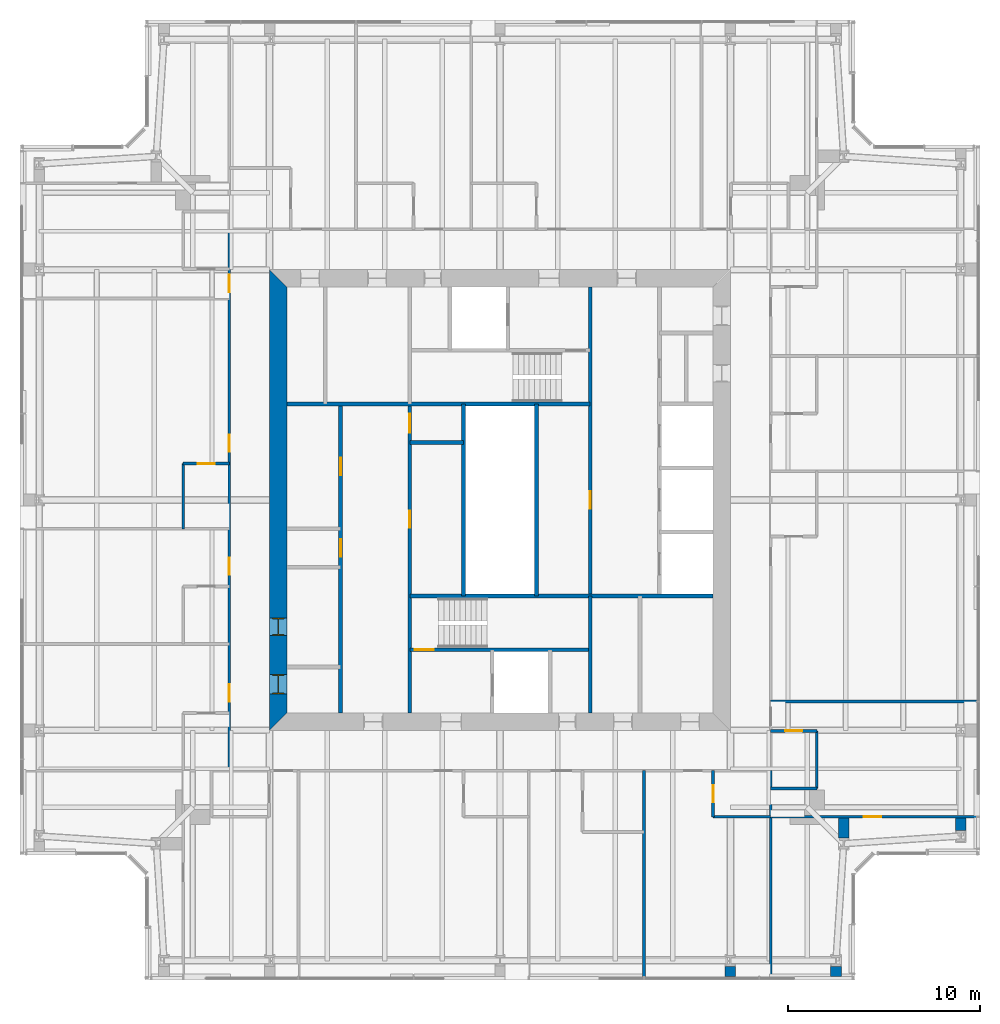
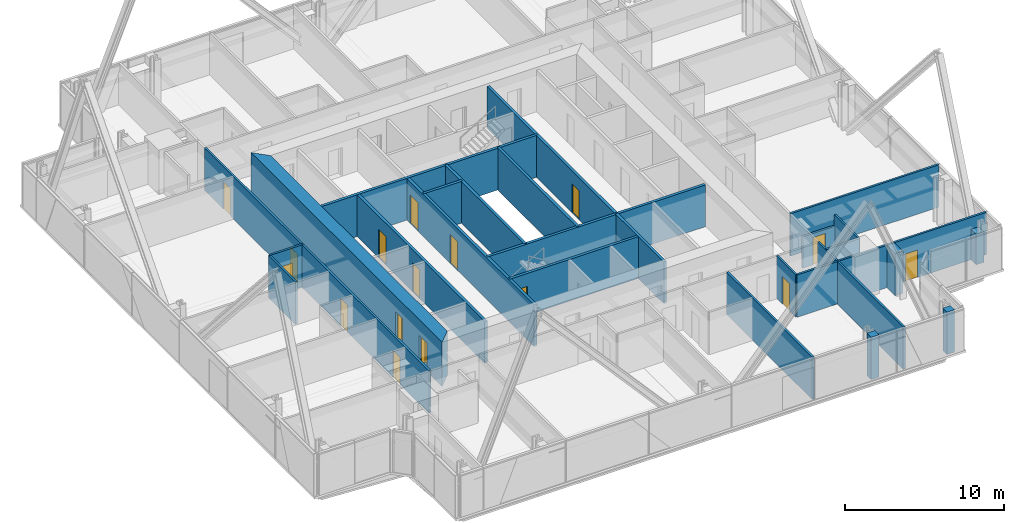
# One storey, part 12 of 20: 27 walls, 16 doors, 16 openings.
"""IFC4 building model written with IfcOpenShell, lengths in metres."""

from ifc_helpers import new_model, si_unit, direction, frame, frame_2d, origin, place, context, subcontext, project, spatial, polyline, rectangle, outline, extrude, material, layer, layer_set, type_object, element, fill, save


model = new_model("IFC4")

# Units and contexts
model_context = context("Model", 3, precision=1e-05, world=origin(), true_north=direction((0.0, 1.0)))
body_context = subcontext(model_context, "Body", "Model", "MODEL_VIEW")
ifc_project = project(units=[si_unit("LENGTHUNIT", "METRE"), si_unit("AREAUNIT", "SQUARE_METRE"), si_unit("VOLUMEUNIT", "CUBIC_METRE"), si_unit("PLANEANGLEUNIT", "RADIAN"), si_unit("MASSUNIT", "GRAM", prefix="KILO")], contexts=[model_context])

# Site, building, storey
site_placement = place(None, origin())
site = spatial("IfcSite", under=ifc_project, at=site_placement, CompositionType="ELEMENT")
building_placement = place(site_placement, origin())
building = spatial("IfcBuilding", under=site, at=building_placement, Name="Fenwick Lantern Interchange", CompositionType="ELEMENT")
storey_placement = place(building_placement, frame((0.0, 0.0, 256.0)))
storey = spatial("IfcBuildingStorey", under=building, at=storey_placement, Name="L60", CompositionType="ELEMENT", Elevation=256.0)

# Walls
ifc_material_1 = material(Name="Fire-rated gypsum board encasement on steel studs, 2 hour", Category="steel")
ifc_layer_1 = layer(ifc_material_1, 0.554931640625)
ifc_layer_set_1 = layer_set([ifc_layer_1], Name="COLUMN PIER 555")
wall_type_1 = type_object("IfcWallType", Name="COLUMN PIER 555", PredefinedType="PARTITIONING", material=ifc_layer_set_1)
for number, where, z_axis, x_axis, name in (
    (1, (37.0, 0.18994140625, 0.0), (0.0, 0.0, 1.0), (0.0, 1.0, 0.0), "L60/W/PIER/CS4"),
    (2, (42.5, 0.18994140625, 0.0), (0.0, 0.0, 1.0), (0.0, 1.0, 0.0), "L60/W/PIER/CS5"),
):
    element("IfcWall", number, at=place(storey_placement, frame(where, z_axis=z_axis, x_axis=x_axis)), inside=storey, type_object=wall_type_1, Name=name, PredefinedType="PARTITIONING", context=body_context, shape_type="SweptSolid", body=[
        extrude(rectangle(XDim=0.525634765625, YDim=0.554931640625, at=frame_2d((0.2626953125, 0.0))), origin(), (0.0, 0.0, 1.0), 3.25),
    ])
wall_1_placement = place(storey_placement, frame((42.89990234375, 8.425048828125, 0.0), z_axis=(0.0, 0.0, 1.0), x_axis=(0.0, -1.0, 0.0)))
element("IfcWall", 3, at=wall_1_placement, inside=storey, type_object=wall_type_1, Name="L60/W/PIER/CSR", PredefinedType="PARTITIONING", context=body_context, shape_type="SweptSolid", body=[
    extrude(rectangle(XDim=1.04052734375, YDim=0.554931640625, at=frame_2d((0.520263671875, 0.0))), origin(), (0.0, 0.0, 1.0), 3.25),
])
wall_2_placement = place(storey_placement, frame((49.0, 8.425048828125, 0.0), z_axis=(0.0, 0.0, 1.0), x_axis=(0.0, -1.0, 0.0)))
element("IfcWall", 4, at=wall_2_placement, inside=storey, type_object=wall_type_1, Name="L60/W/PIER/CE1", PredefinedType="PARTITIONING", context=body_context, shape_type="SweptSolid", body=[
    extrude(rectangle(XDim=0.640625, YDim=0.554931640625, at=frame_2d((0.3203125, 0.0))), origin(), (0.0, 0.0, 1.0), 2.338134765625),
])

# Wall, openings, doors
ifc_material_2 = material(Name="Concrete masonry ASTM C90 Grade N", Category="masonry")
ifc_layer_2 = layer(ifc_material_2, 0.199951171875)
ifc_layer_set_2 = layer_set([ifc_layer_2], Name="Concrete masonry ASTM C90 Grade N")
wall_type_2 = type_object("IfcWallType", Name="CORE PARTITION 200", PredefinedType="PARTITIONING", material=ifc_layer_set_2)
wall_3_placement = place(storey_placement, frame((16.699951171875, 13.89990234375, 0.0), z_axis=(0.0, 0.0, 1.0), x_axis=(0.0, 1.0, 0.0)))
wall_3 = element("IfcWall", 5, at=wall_3_placement, inside=storey, type_object=wall_type_2, Name="L60/W/CORES/a", PredefinedType="PARTITIONING", context=body_context, shape_type="SweptSolid", body=[
    extrude(rectangle(XDim=16.10009765625, YDim=0.199951171875, at=frame_2d((8.050048828125, 0.0))), origin(), (0.0, 0.0, 1.0), 3.199951171875),
])
opening_1_placement = place(wall_3_placement, frame((8.14990234375, 0.0, 0.0)))
opening_1 = element("IfcOpeningElement", 6, at=opening_1_placement, cuts=wall_3, Name="Opening L60-D009", PredefinedType="OPENING", context=body_context, shape_type="SweptSolid", body=[
    extrude(rectangle(XDim=0.89990234375, YDim=2.199951171875, at=frame_2d((0.449951171875, 1.10009765625))), frame((0.0, 0.10986328125, 0.0), z_axis=(0.0, -1.0, 0.0), x_axis=(1.0, 0.0, 0.0)), (0.0, 0.0, 1.0), 0.219970703125),
])
opening_2_placement = place(wall_3_placement, frame((12.39990234375, 0.0, 0.0)))
opening_2 = element("IfcOpeningElement", 7, at=opening_2_placement, cuts=wall_3, Name="Opening L60-D010", PredefinedType="OPENING", context=body_context, shape_type="SweptSolid", body=[
    extrude(rectangle(XDim=0.89990234375, YDim=2.199951171875, at=frame_2d((0.449951171875, 1.10009765625))), frame((0.0, 0.10986328125, 0.0), z_axis=(0.0, -1.0, 0.0), x_axis=(1.0, 0.0, 0.0)), (0.0, 0.0, 1.0), 0.219970703125),
])
ifc_material_3 = material(Name="Steel door and frame", Category="steel")
door_type_1 = type_object("IfcDoorType", Name="SERVICE DOOR 900 X 2200", OperationType="SINGLE_SWING_LEFT", PredefinedType="DOOR", material=ifc_material_3)
door_1_placement = place(opening_1_placement, origin())
door_1 = element("IfcDoor", 8, at=door_1_placement, inside=storey, type_object=door_type_1, Name="Service door", OperationType="SINGLE_SWING_LEFT", OverallHeight=2.199951171875, OverallWidth=0.89990234375, PredefinedType="DOOR", context=body_context, shape_type="SweptSolid", body=[
    extrude(rectangle(XDim=0.89990234375, YDim=2.199951171875, at=frame_2d((0.449951171875, 1.10009765625))), frame((0.0, 0.02490234375, 0.0), z_axis=(0.0, -1.0, 0.0), x_axis=(1.0, 0.0, 0.0)), (0.0, 0.0, 1.0), 0.050048828125),
])
fill(opening_1, door_1)
door_2_placement = place(opening_2_placement, origin())
door_2 = element("IfcDoor", 9, at=door_2_placement, inside=storey, type_object=door_type_1, Name="Service door", OperationType="SINGLE_SWING_LEFT", OverallHeight=2.199951171875, OverallWidth=0.89990234375, PredefinedType="DOOR", context=body_context, shape_type="SweptSolid", body=[
    extrude(rectangle(XDim=0.89990234375, YDim=2.199951171875, at=frame_2d((0.449951171875, 1.10009765625))), frame((0.0, 0.02490234375, 0.0), z_axis=(0.0, -1.0, 0.0), x_axis=(1.0, 0.0, 0.0)), (0.0, 0.0, 1.0), 0.050048828125),
])
fill(opening_2, door_2)

# Walls
wall_4_placement = place(storey_placement, frame((23.10009765625, 20.0, 0.0), z_axis=(0.0, 0.0, 1.0), x_axis=(0.0, 1.0, 0.0)))
element("IfcWall", 10, at=wall_4_placement, inside=storey, type_object=wall_type_2, Name="L60/W/CORES/e3", PredefinedType="PARTITIONING", context=body_context, shape_type="SweptSolid", body=[
    extrude(rectangle(XDim=10.0, YDim=0.199951171875, at=frame_2d((5.0, 0.0))), origin(), (0.0, 0.0, 1.0), 3.199951171875),
])
wall_5_placement = place(storey_placement, frame((20.300048828125, 28.0, 0.0), z_axis=(0.0, 0.0, 1.0), x_axis=(1.0, 0.0, 0.0)))
element("IfcWall", 11, at=wall_5_placement, inside=storey, type_object=wall_type_2, Name="L60/W/CORES/q1", PredefinedType="PARTITIONING", context=body_context, shape_type="SweptSolid", body=[
    extrude(rectangle(XDim=2.800048828125, YDim=0.199951171875, at=frame_2d((1.39990234375, 0.0))), origin(), (0.0, 0.0, 1.0), 3.199951171875),
])
wall_6_placement = place(storey_placement, frame((26.89990234375, 30.0, 0.0), z_axis=(0.0, 0.0, 1.0), x_axis=(0.0, -1.0, 0.0)))
element("IfcWall", 12, at=wall_6_placement, inside=storey, type_object=wall_type_2, Name="L60/W/COREN/e3", PredefinedType="PARTITIONING", context=body_context, shape_type="SweptSolid", body=[
    extrude(rectangle(XDim=10.0, YDim=0.199951171875, at=frame_2d((5.0, 0.0))), origin(), (0.0, 0.0, 1.0), 3.199951171875),
])

# Wall, openings, doors
ifc_material_4 = material(Name="Concrete f'c 70 MPa", Category="concrete")
ifc_layer_3 = layer(ifc_material_4, 0.89990234375)
ifc_layer_set_3 = layer_set([ifc_layer_3], Name="CORE WALL 900")
wall_type_3 = type_object("IfcWallType", Name="CORE WALL 900", PredefinedType="SHEAR", material=ifc_layer_set_3)
wall_7_placement = place(storey_placement, frame((13.449951171875, 36.10009765625, 0.0), z_axis=(0.0, 0.0, 1.0), x_axis=(0.0, -1.0, 0.0)))
wall_7 = element("IfcWall", 13, at=wall_7_placement, inside=storey, type_object=wall_type_3, Name="L60/CORE/W", PredefinedType="SHEAR", context=body_context, shape_type="SweptSolid", body=[
    extrude(outline(polyline([(-0.89990234375, -0.449951171875), (23.10009765625, -0.449951171875), (22.199951171875, 0.449951171875), (0.0, 0.449951171875), (-0.89990234375, -0.449951171875)])), origin(), (0.0, 0.0, 1.0), 3.39990234375),
])
opening_3_placement = place(wall_7_placement, frame((20.199951171875, 0.0, 0.0)))
opening_3 = element("IfcOpeningElement", 14, at=opening_3_placement, cuts=wall_7, Name="Opening L60-D007", PredefinedType="OPENING", context=body_context, shape_type="SweptSolid", body=[
    extrude(rectangle(XDim=1.0, YDim=2.199951171875, at=frame_2d((0.5, 1.10009765625))), frame((0.0, 0.4599609375, 0.0), z_axis=(0.0, -1.0, 0.0), x_axis=(1.0, 0.0, 0.0)), (0.0, 0.0, 1.0), 0.919921875),
])
opening_4_placement = place(wall_7_placement, frame((17.25, 0.0, 0.0)))
opening_4 = element("IfcOpeningElement", 15, at=opening_4_placement, cuts=wall_7, Name="Opening L60-D008", PredefinedType="OPENING", context=body_context, shape_type="SweptSolid", body=[
    extrude(rectangle(XDim=0.89990234375, YDim=2.199951171875, at=frame_2d((0.449951171875, 1.10009765625))), frame((0.0, 0.4599609375, 0.0), z_axis=(0.0, -1.0, 0.0), x_axis=(1.0, 0.0, 0.0)), (0.0, 0.0, 1.0), 0.919921875),
])
door_3_placement = place(opening_4_placement, origin())
door_3 = element("IfcDoor", 16, at=door_3_placement, inside=storey, type_object=door_type_1, Name="Service door", OperationType="SINGLE_SWING_RIGHT", OverallHeight=2.199951171875, OverallWidth=0.89990234375, PredefinedType="DOOR", context=body_context, shape_type="SweptSolid", body=[
    extrude(rectangle(XDim=0.89990234375, YDim=2.199951171875, at=frame_2d((0.449951171875, 1.10009765625))), frame((0.0, 0.02490234375, 0.0), z_axis=(0.0, -1.0, 0.0), x_axis=(1.0, 0.0, 0.0)), (0.0, 0.0, 1.0), 0.050048828125),
    extrude(outline(polyline([(0.0, 0.0), (0.0400390625, 0.0), (0.0400390625, 2.159912109375), (0.85986328125, 2.159912109375), (0.85986328125, 0.0), (0.89990234375, 0.0), (0.89990234375, 2.199951171875), (0.0, 2.199951171875), (0.0, 0.0)])), frame((0.0, 0.300048828125, 0.0), z_axis=(0.0, -1.0, 0.0), x_axis=(1.0, 0.0, 0.0)), (0.0, 0.0, 1.0), 0.60009765625),
])
fill(opening_4, door_3)
ifc_material_5 = material(Name="Hardwood door and steel frame", Category="steel")
door_type_2 = type_object("IfcDoorType", Name="WC DOOR 1000 X 2200", OperationType="SINGLE_SWING_LEFT", PredefinedType="DOOR", material=ifc_material_5)
door_4_placement = place(opening_3_placement, origin())
door_4 = element("IfcDoor", 17, at=door_4_placement, inside=storey, type_object=door_type_2, Name="Wc door", OperationType="SINGLE_SWING_LEFT", OverallHeight=2.199951171875, OverallWidth=1.0, PredefinedType="DOOR", context=body_context, shape_type="SweptSolid", body=[
    extrude(rectangle(XDim=1.0, YDim=2.199951171875, at=frame_2d((0.5, 1.10009765625))), frame((0.0, 0.02490234375, 0.0), z_axis=(0.0, -1.0, 0.0), x_axis=(1.0, 0.0, 0.0)), (0.0, 0.0, 1.0), 0.050048828125),
    extrude(outline(polyline([(0.0, 0.0), (0.0400390625, 0.0), (0.0400390625, 2.159912109375), (0.9599609375, 2.159912109375), (0.9599609375, 0.0), (1.0, 0.0), (1.0, 2.199951171875), (0.0, 2.199951171875), (0.0, 0.0)])), frame((0.0, 0.300048828125, 0.0), z_axis=(0.0, -1.0, 0.0), x_axis=(1.0, 0.0, 0.0)), (0.0, 0.0, 1.0), 0.60009765625),
])
fill(opening_3, door_4)

ifc_material_6 = material(Name="Gypsum board on steel studs, 1 hour", Category="steel")
ifc_layer_4 = layer(ifc_material_6, 0.14990234375)
ifc_layer_set_4 = layer_set([ifc_layer_4], Name="CORRIDOR WALL 150")
wall_type_4 = type_object("IfcWallType", Name="CORRIDOR WALL 150", PredefinedType="PARTITIONING", material=ifc_layer_set_4)
wall_8_placement = place(storey_placement, frame((10.89990234375, 39.10009765625, 0.0), z_axis=(0.0, 0.0, 1.0), x_axis=(0.0, -1.0, 0.0)))
wall_8 = element("IfcWall", 18, at=wall_8_placement, inside=storey, type_object=wall_type_4, Name="L60/W/HOTEL/W/CW", PredefinedType="PARTITIONING", context=body_context, shape_type="SweptSolid", body=[
    extrude(rectangle(XDim=28.2001953125, YDim=0.14990234375, at=frame_2d((14.10009765625, 0.0))), origin(), (0.0, 0.0, 1.0), 3.25),
])
opening_5_placement = place(wall_8_placement, frame((2.375, 0.0, 0.0)))
opening_5 = element("IfcOpeningElement", 19, at=opening_5_placement, cuts=wall_8, Name="Opening L60-D052", PredefinedType="OPENING", context=body_context, shape_type="SweptSolid", body=[
    extrude(rectangle(XDim=0.89990234375, YDim=2.10009765625, at=frame_2d((0.449951171875, 1.050048828125))), frame((0.0, 0.0849609375, 0.0), z_axis=(0.0, -1.0, 0.0), x_axis=(1.0, 0.0, 0.0)), (0.0, 0.0, 1.0), 0.169921875),
])
opening_6_placement = place(wall_8_placement, frame((10.699951171875, 0.0, 0.0)))
opening_6 = element("IfcOpeningElement", 20, at=opening_6_placement, cuts=wall_8, Name="Opening L60-D054", PredefinedType="OPENING", context=body_context, shape_type="SweptSolid", body=[
    extrude(rectangle(XDim=0.89990234375, YDim=2.10009765625, at=frame_2d((0.449951171875, 1.050048828125))), frame((0.0, 0.0849609375, 0.0), z_axis=(0.0, -1.0, 0.0), x_axis=(1.0, 0.0, 0.0)), (0.0, 0.0, 1.0), 0.169921875),
])
opening_7_placement = place(wall_8_placement, frame((17.10009765625, 0.0, 0.0)))
opening_7 = element("IfcOpeningElement", 21, at=opening_7_placement, cuts=wall_8, Name="Opening L60-D056", PredefinedType="OPENING", context=body_context, shape_type="SweptSolid", body=[
    extrude(rectangle(XDim=0.89990234375, YDim=2.10009765625, at=frame_2d((0.449951171875, 1.050048828125))), frame((0.0, 0.0849609375, 0.0), z_axis=(0.0, -1.0, 0.0), x_axis=(1.0, 0.0, 0.0)), (0.0, 0.0, 1.0), 0.169921875),
])
opening_8_placement = place(wall_8_placement, frame((23.699951171875, 0.0, 0.0)))
opening_8 = element("IfcOpeningElement", 22, at=opening_8_placement, cuts=wall_8, Name="Opening L60-D058", PredefinedType="OPENING", context=body_context, shape_type="SweptSolid", body=[
    extrude(rectangle(XDim=0.89990234375, YDim=2.10009765625, at=frame_2d((0.449951171875, 1.050048828125))), frame((0.0, 0.0849609375, 0.0), z_axis=(0.0, -1.0, 0.0), x_axis=(1.0, 0.0, 0.0)), (0.0, 0.0, 1.0), 0.169921875),
])
door_type_3 = type_object("IfcDoorType", Name="GUEST ROOM DOOR 900 X 2100", OperationType="SINGLE_SWING_LEFT", PredefinedType="DOOR", material=ifc_material_3)
door_5_placement = place(opening_5_placement, frame((0.89990234375, 0.0, 0.0), z_axis=(0.0, 0.0, 1.0), x_axis=(-1.0, 0.0, 0.0)))
door_5 = element("IfcDoor", 23, at=door_5_placement, inside=storey, type_object=door_type_3, Name="Guest room door", OperationType="SINGLE_SWING_RIGHT", OverallHeight=2.10009765625, OverallWidth=0.89990234375, PredefinedType="DOOR", context=body_context, shape_type="SweptSolid", body=[
    extrude(rectangle(XDim=0.89990234375, YDim=2.10009765625, at=frame_2d((0.449951171875, 1.050048828125))), frame((0.0, 0.02490234375, 0.0), z_axis=(0.0, -1.0, 0.0), x_axis=(1.0, 0.0, 0.0)), (0.0, 0.0, 1.0), 0.050048828125),
])
fill(opening_5, door_5)
door_6_placement = place(opening_6_placement, frame((0.89990234375, 0.0, 0.0), z_axis=(0.0, 0.0, 1.0), x_axis=(-1.0, 0.0, 0.0)))
door_6 = element("IfcDoor", 24, at=door_6_placement, inside=storey, type_object=door_type_3, Name="Guest room door", OperationType="SINGLE_SWING_LEFT", OverallHeight=2.10009765625, OverallWidth=0.89990234375, PredefinedType="DOOR", context=body_context, shape_type="SweptSolid", body=[
    extrude(rectangle(XDim=0.89990234375, YDim=2.10009765625, at=frame_2d((0.449951171875, 1.050048828125))), frame((0.0, 0.02490234375, 0.0), z_axis=(0.0, -1.0, 0.0), x_axis=(1.0, 0.0, 0.0)), (0.0, 0.0, 1.0), 0.050048828125),
])
fill(opening_6, door_6)
door_7_placement = place(opening_7_placement, frame((0.89990234375, 0.0, 0.0), z_axis=(0.0, 0.0, 1.0), x_axis=(-1.0, 0.0, 0.0)))
door_7 = element("IfcDoor", 25, at=door_7_placement, inside=storey, type_object=door_type_3, Name="Guest room door", OperationType="SINGLE_SWING_LEFT", OverallHeight=2.10009765625, OverallWidth=0.89990234375, PredefinedType="DOOR", context=body_context, shape_type="SweptSolid", body=[
    extrude(rectangle(XDim=0.89990234375, YDim=2.10009765625, at=frame_2d((0.449951171875, 1.050048828125))), frame((0.0, 0.02490234375, 0.0), z_axis=(0.0, -1.0, 0.0), x_axis=(1.0, 0.0, 0.0)), (0.0, 0.0, 1.0), 0.050048828125),
])
fill(opening_7, door_7)
door_8_placement = place(opening_8_placement, frame((0.89990234375, 0.0, 0.0), z_axis=(0.0, 0.0, 1.0), x_axis=(-1.0, 0.0, 0.0)))
door_8 = element("IfcDoor", 26, at=door_8_placement, inside=storey, type_object=door_type_3, Name="Guest room door", OperationType="SINGLE_SWING_LEFT", OverallHeight=2.10009765625, OverallWidth=0.89990234375, PredefinedType="DOOR", context=body_context, shape_type="SweptSolid", body=[
    extrude(rectangle(XDim=0.89990234375, YDim=2.10009765625, at=frame_2d((0.449951171875, 1.050048828125))), frame((0.0, 0.02490234375, 0.0), z_axis=(0.0, -1.0, 0.0), x_axis=(1.0, 0.0, 0.0)), (0.0, 0.0, 1.0), 0.050048828125),
])
fill(opening_8, door_8)

# Wall
ifc_material_7 = material(Name="Gypsum board on steel studs, moisture resistant", Category="steel")
ifc_layer_5 = layer(ifc_material_7, 0.14990234375)
ifc_layer_set_5 = layer_set([ifc_layer_5], Name="EN-SUITE WALL 150")
wall_type_5 = type_object("IfcWallType", Name="EN-SUITE WALL 150", PredefinedType="PARTITIONING", material=ifc_layer_set_5)
wall_9_placement = place(storey_placement, frame((36.10009765625, 8.5, 0.0), z_axis=(0.0, 0.0, 1.0), x_axis=(1.0, 0.0, 0.0)))
element("IfcWall", 27, at=wall_9_placement, inside=storey, type_object=wall_type_5, Name="L60/W/HOTEL/S/U4BW", PredefinedType="PARTITIONING", context=body_context, shape_type="SweptSolid", body=[
    extrude(rectangle(XDim=3.0, YDim=0.14990234375, at=frame_2d((1.5, 0.0))), origin(), (0.0, 0.0, 1.0), 3.25),
])

# Wall, opening, door
wall_10_placement = place(storey_placement, frame((36.10009765625, 8.5, 0.0), z_axis=(0.0, 0.0, 1.0), x_axis=(0.0, 1.0, 0.0)))
wall_10 = element("IfcWall", 28, at=wall_10_placement, inside=storey, type_object=wall_type_5, Name="L60/W/HOTEL/S/U4BX", PredefinedType="PARTITIONING", context=body_context, shape_type="SweptSolid", body=[
    extrude(rectangle(XDim=2.39990234375, YDim=0.14990234375, at=frame_2d((1.199951171875, 0.0))), origin(), (0.0, 0.0, 1.0), 3.25),
])
opening_9_placement = place(wall_10_placement, frame((0.75, 0.0, 0.0)))
opening_9 = element("IfcOpeningElement", 29, at=opening_9_placement, cuts=wall_10, Name="Opening L60-D030", PredefinedType="OPENING", context=body_context, shape_type="SweptSolid", body=[
    extrude(rectangle(XDim=0.89990234375, YDim=2.10009765625, at=frame_2d((0.449951171875, 1.050048828125))), frame((0.0, 0.0849609375, 0.0), z_axis=(0.0, -1.0, 0.0), x_axis=(1.0, 0.0, 0.0)), (0.0, 0.0, 1.0), 0.169921875),
])
door_type_4 = type_object("IfcDoorType", Name="EN-SUITE DOOR 900 X 2100", OperationType="SINGLE_SWING_LEFT", PredefinedType="DOOR", material=ifc_material_5)
door_9_placement = place(opening_9_placement, frame((0.89990234375, 0.0, 0.0), z_axis=(0.0, 0.0, 1.0), x_axis=(-1.0, 0.0, 0.0)))
door_9 = element("IfcDoor", 30, at=door_9_placement, inside=storey, type_object=door_type_4, Name="En-suite door", OperationType="SINGLE_SWING_RIGHT", OverallHeight=2.10009765625, OverallWidth=0.89990234375, PredefinedType="DOOR", context=body_context, shape_type="SweptSolid", body=[
    extrude(rectangle(XDim=0.89990234375, YDim=2.10009765625, at=frame_2d((0.449951171875, 1.050048828125))), frame((0.0, 0.02490234375, 0.0), z_axis=(0.0, -1.0, 0.0), x_axis=(1.0, 0.0, 0.0)), (0.0, 0.0, 1.0), 0.050048828125),
])
fill(opening_9, door_9)

# Wall
wall_11_placement = place(storey_placement, frame((41.5, 9.97509765625, 0.0), z_axis=(0.0, 0.0, 1.0), x_axis=(0.0, 1.0, 0.0)))
element("IfcWall", 31, at=wall_11_placement, inside=storey, type_object=wall_type_5, Name="L60/W/HOTEL/E/U1BW", PredefinedType="PARTITIONING", context=body_context, shape_type="SweptSolid", body=[
    extrude(rectangle(XDim=3.0, YDim=0.14990234375, at=frame_2d((1.5, 0.0))), origin(), (0.0, 0.0, 1.0), 3.25),
])

# Wall, opening, door
wall_12_placement = place(storey_placement, frame((41.5, 12.97509765625, 0.0), z_axis=(0.0, 0.0, 1.0), x_axis=(-1.0, 0.0, 0.0)))
wall_12 = element("IfcWall", 32, at=wall_12_placement, inside=storey, type_object=wall_type_5, Name="L60/W/HOTEL/E/U1BX", PredefinedType="PARTITIONING", context=body_context, shape_type="SweptSolid", body=[
    extrude(rectangle(XDim=2.39990234375, YDim=0.14990234375, at=frame_2d((1.199951171875, 0.0))), origin(), (0.0, 0.0, 1.0), 2.404296875),
])
opening_10_placement = place(wall_12_placement, frame((0.75, 0.0, 0.0)))
opening_10 = element("IfcOpeningElement", 33, at=opening_10_placement, cuts=wall_12, Name="Opening L60-D032", PredefinedType="OPENING", context=body_context, shape_type="SweptSolid", body=[
    extrude(rectangle(XDim=0.89990234375, YDim=2.10009765625, at=frame_2d((0.449951171875, 1.050048828125))), frame((0.0, 0.0849609375, 0.0), z_axis=(0.0, -1.0, 0.0), x_axis=(1.0, 0.0, 0.0)), (0.0, 0.0, 1.0), 0.169921875),
])
door_10_placement = place(opening_10_placement, origin())
door_10 = element("IfcDoor", 34, at=door_10_placement, inside=storey, type_object=door_type_4, Name="En-suite door", OperationType="SINGLE_SWING_LEFT", OverallHeight=2.10009765625, OverallWidth=0.89990234375, PredefinedType="DOOR", context=body_context, shape_type="SweptSolid", body=[
    extrude(rectangle(XDim=0.89990234375, YDim=2.10009765625, at=frame_2d((0.449951171875, 1.050048828125))), frame((0.0, 0.02490234375, 0.0), z_axis=(0.0, -1.0, 0.0), x_axis=(1.0, 0.0, 0.0)), (0.0, 0.0, 1.0), 0.050048828125),
])
fill(opening_10, door_10)

# Walls
wall_13_placement = place(storey_placement, frame((41.5, 9.97509765625, 0.0), z_axis=(0.0, 0.0, 1.0), x_axis=(-1.0, 0.0, 0.0)))
element("IfcWall", 35, at=wall_13_placement, inside=storey, type_object=wall_type_5, Name="L60/W/HOTEL/E/U1BV", PredefinedType="PARTITIONING", context=body_context, shape_type="SweptSolid", body=[
    extrude(rectangle(XDim=2.39990234375, YDim=0.14990234375, at=frame_2d((1.199951171875, 0.0))), origin(), (0.0, 0.0, 1.0), 3.25),
])
wall_14_placement = place(storey_placement, frame((8.5, 26.89990234375, 0.0), z_axis=(0.0, 0.0, 1.0), x_axis=(0.0, -1.0, 0.0)))
element("IfcWall", 36, at=wall_14_placement, inside=storey, type_object=wall_type_5, Name="L60/W/HOTEL/W/U2BW", PredefinedType="PARTITIONING", context=body_context, shape_type="SweptSolid", body=[
    extrude(rectangle(XDim=3.39990234375, YDim=0.14990234375, at=frame_2d((1.699951171875, 0.0))), origin(), (0.0, 0.0, 1.0), 3.25),
])

# Wall, opening, door
wall_15_placement = place(storey_placement, frame((8.5, 26.89990234375, 0.0), z_axis=(0.0, 0.0, 1.0), x_axis=(1.0, 0.0, 0.0)))
wall_15 = element("IfcWall", 37, at=wall_15_placement, inside=storey, type_object=wall_type_5, Name="L60/W/HOTEL/W/U2BX", PredefinedType="PARTITIONING", context=body_context, shape_type="SweptSolid", body=[
    extrude(rectangle(XDim=2.39990234375, YDim=0.14990234375, at=frame_2d((1.199951171875, 0.0))), origin(), (0.0, 0.0, 1.0), 3.25),
])
opening_11_placement = place(wall_15_placement, frame((0.75, 0.0, 0.0)))
opening_11 = element("IfcOpeningElement", 38, at=opening_11_placement, cuts=wall_15, Name="Opening L60-D053", PredefinedType="OPENING", context=body_context, shape_type="SweptSolid", body=[
    extrude(rectangle(XDim=0.89990234375, YDim=2.10009765625, at=frame_2d((0.449951171875, 1.050048828125))), frame((0.0, 0.0849609375, 0.0), z_axis=(0.0, -1.0, 0.0), x_axis=(1.0, 0.0, 0.0)), (0.0, 0.0, 1.0), 0.169921875),
])
door_11_placement = place(opening_11_placement, frame((0.89990234375, 0.0, 0.0), z_axis=(0.0, 0.0, 1.0), x_axis=(-1.0, 0.0, 0.0)))
door_11 = element("IfcDoor", 39, at=door_11_placement, inside=storey, type_object=door_type_4, Name="En-suite door", OperationType="SINGLE_SWING_RIGHT", OverallHeight=2.10009765625, OverallWidth=0.89990234375, PredefinedType="DOOR", context=body_context, shape_type="SweptSolid", body=[
    extrude(rectangle(XDim=0.89990234375, YDim=2.10009765625, at=frame_2d((0.449951171875, 1.050048828125))), frame((0.0, 0.02490234375, 0.0), z_axis=(0.0, -1.0, 0.0), x_axis=(1.0, 0.0, 0.0)), (0.0, 0.0, 1.0), 0.050048828125),
])
fill(opening_11, door_11)

# Walls
ifc_material_8 = material(Name="Gypsum board on steel studs, 1 hour acoustic", Category="steel")
ifc_layer_6 = layer(ifc_material_8, 0.14990234375)
ifc_layer_set_6 = layer_set([ifc_layer_6], Name="PARTY WALL 150")
wall_type_6 = type_object("IfcWallType", Name="PARTY WALL 150", PredefinedType="PARTITIONING", material=ifc_layer_set_6)
for number, where, z_axis, x_axis, name in (
    (40, (32.5, 0.14990234375, 0.0), (0.0, 0.0, 1.0), (0.0, 1.0, 0.0), "L60/W/HOTEL/S/U4PW"),
    (41, (39.10009765625, 0.14990234375, 0.0), (0.0, 0.0, 1.0), (0.0, 1.0, 0.0), "L60/W/HOTEL/E/SW3"),
    (42, (49.85009765625, 14.5, 0.0), (0.0, 0.0, 1.0), (-1.0, 0.0, 0.0), "L60/W/HOTEL/E/U2PW"),
):
    element("IfcWall", number, at=place(storey_placement, frame(where, z_axis=z_axis, x_axis=x_axis)), inside=storey, type_object=wall_type_6, Name=name, PredefinedType="PARTITIONING", context=body_context, shape_type="SweptSolid", body=[
        extrude(rectangle(XDim=10.75, YDim=0.14990234375, at=frame_2d((5.375, 0.0))), origin(), (0.0, 0.0, 1.0), 3.25),
    ])

# Wall, openings, doors
ifc_material_9 = material(Name="Concrete f'c 45 MPa", Category="concrete")
ifc_layer_7 = layer(ifc_material_9, 0.199951171875)
ifc_layer_set_7 = layer_set([ifc_layer_7], Name="STAIR CORE WALL 200")
wall_type_7 = type_object("IfcWallType", Name="STAIR CORE WALL 200", PredefinedType="SOLIDWALL", material=ifc_layer_set_7)
wall_16_placement = place(storey_placement, frame((20.300048828125, 13.89990234375, 0.0), z_axis=(0.0, 0.0, 1.0), x_axis=(0.0, 1.0, 0.0)))
wall_16 = element("IfcWall", 43, at=wall_16_placement, inside=storey, type_object=wall_type_7, Name="L60/W/CORES/b", PredefinedType="SOLIDWALL", context=body_context, shape_type="SweptSolid", body=[
    extrude(rectangle(XDim=16.10009765625, YDim=0.199951171875, at=frame_2d((8.050048828125, 0.0))), origin(), (0.0, 0.0, 1.0), 3.199951171875),
])
opening_12_placement = place(wall_16_placement, frame((9.64990234375, 0.0, 0.0)))
opening_12 = element("IfcOpeningElement", 44, at=opening_12_placement, cuts=wall_16, Name="Opening L60-D011", PredefinedType="OPENING", context=body_context, shape_type="SweptSolid", body=[
    extrude(rectangle(XDim=0.89990234375, YDim=2.199951171875, at=frame_2d((0.449951171875, 1.10009765625))), frame((0.0, 0.10986328125, 0.0), z_axis=(0.0, -1.0, 0.0), x_axis=(1.0, 0.0, 0.0)), (0.0, 0.0, 1.0), 0.219970703125),
])
opening_13_placement = place(wall_16_placement, frame((14.60009765625, 0.0, 0.0)))
opening_13 = element("IfcOpeningElement", 45, at=opening_13_placement, cuts=wall_16, Name="Opening L60-D012", PredefinedType="OPENING", context=body_context, shape_type="SweptSolid", body=[
    extrude(rectangle(XDim=1.0, YDim=2.199951171875, at=frame_2d((0.5, 1.10009765625))), frame((0.0, 0.10986328125, 0.0), z_axis=(0.0, -1.0, 0.0), x_axis=(1.0, 0.0, 0.0)), (0.0, 0.0, 1.0), 0.219970703125),
])
door_12_placement = place(opening_12_placement, frame((0.89990234375, 0.0, 0.0), z_axis=(0.0, 0.0, 1.0), x_axis=(-1.0, 0.0, 0.0)))
door_12 = element("IfcDoor", 46, at=door_12_placement, inside=storey, type_object=door_type_1, Name="Service door", OperationType="SINGLE_SWING_RIGHT", OverallHeight=2.199951171875, OverallWidth=0.89990234375, PredefinedType="DOOR", context=body_context, shape_type="SweptSolid", body=[
    extrude(rectangle(XDim=0.89990234375, YDim=2.199951171875, at=frame_2d((0.449951171875, 1.10009765625))), frame((0.0, 0.02490234375, 0.0), z_axis=(0.0, -1.0, 0.0), x_axis=(1.0, 0.0, 0.0)), (0.0, 0.0, 1.0), 0.050048828125),
])
fill(opening_12, door_12)
door_13_placement = place(opening_13_placement, frame((1.0, 0.0, 0.0), z_axis=(0.0, 0.0, 1.0), x_axis=(-1.0, 0.0, 0.0)))
door_13 = element("IfcDoor", 47, at=door_13_placement, inside=storey, type_object=door_type_2, Name="Wc door", OperationType="SINGLE_SWING_RIGHT", OverallHeight=2.199951171875, OverallWidth=1.0, PredefinedType="DOOR", context=body_context, shape_type="SweptSolid", body=[
    extrude(rectangle(XDim=1.0, YDim=2.199951171875, at=frame_2d((0.5, 1.10009765625))), frame((0.0, 0.02490234375, 0.0), z_axis=(0.0, -1.0, 0.0), x_axis=(1.0, 0.0, 0.0)), (0.0, 0.0, 1.0), 0.050048828125),
])
fill(opening_13, door_13)

# Wall, opening, door
wall_17_placement = place(storey_placement, frame((20.300048828125, 17.199951171875, 0.0), z_axis=(0.0, 0.0, 1.0), x_axis=(1.0, 0.0, 0.0)))
wall_17 = element("IfcWall", 48, at=wall_17_placement, inside=storey, type_object=wall_type_7, Name="L60/W/CORES/g1", PredefinedType="SOLIDWALL", context=body_context, shape_type="SweptSolid", body=[
    extrude(rectangle(XDim=9.39990234375, YDim=0.199951171875, at=frame_2d((4.699951171875, 0.0))), origin(), (0.0, 0.0, 1.0), 3.199951171875),
])
opening_14_placement = place(wall_17_placement, frame((0.25, 0.0, 0.0)))
opening_14 = element("IfcOpeningElement", 49, at=opening_14_placement, cuts=wall_17, Name="Opening L60-D003", PredefinedType="OPENING", context=body_context, shape_type="SweptSolid", body=[
    extrude(rectangle(XDim=1.0, YDim=2.199951171875, at=frame_2d((0.5, 1.10009765625))), frame((0.0, 0.10986328125, 0.0), z_axis=(0.0, -1.0, 0.0), x_axis=(1.0, 0.0, 0.0)), (0.0, 0.0, 1.0), 0.219970703125),
])
door_type_5 = type_object("IfcDoorType", Name="STAIR DOOR 1000 X 2200", OperationType="SINGLE_SWING_LEFT", PredefinedType="DOOR", material=ifc_material_3)
door_14_placement = place(opening_14_placement, origin())
door_14 = element("IfcDoor", 50, at=door_14_placement, inside=storey, type_object=door_type_5, Name="Stair door", OperationType="SINGLE_SWING_LEFT", OverallHeight=2.199951171875, OverallWidth=1.0, PredefinedType="DOOR", context=body_context, shape_type="SweptSolid", body=[
    extrude(rectangle(XDim=1.0, YDim=2.199951171875, at=frame_2d((0.5, 1.10009765625))), frame((0.0, 0.02490234375, 0.0), z_axis=(0.0, -1.0, 0.0), x_axis=(1.0, 0.0, 0.0)), (0.0, 0.0, 1.0), 0.050048828125),
])
fill(opening_14, door_14)

# Walls
wall_18_placement = place(storey_placement, frame((20.300048828125, 20.0, 0.0), z_axis=(0.0, 0.0, 1.0), x_axis=(1.0, 0.0, 0.0)))
element("IfcWall", 51, at=wall_18_placement, inside=storey, type_object=wall_type_7, Name="L60/W/CORES/g2", PredefinedType="SOLIDWALL", context=body_context, shape_type="SweptSolid", body=[
    extrude(rectangle(XDim=15.800048828125, YDim=0.199951171875, at=frame_2d((7.89990234375, 0.0))), origin(), (0.0, 0.0, 1.0), 3.199951171875),
])
wall_19_placement = place(storey_placement, frame((29.699951171875, 13.89990234375, 0.0), z_axis=(0.0, 0.0, 1.0), x_axis=(0.0, 1.0, 0.0)))
element("IfcWall", 52, at=wall_19_placement, inside=storey, type_object=wall_type_7, Name="L60/W/CORES/i1", PredefinedType="SOLIDWALL", context=body_context, shape_type="SweptSolid", body=[
    extrude(rectangle(XDim=6.10009765625, YDim=0.199951171875, at=frame_2d((3.050048828125, 0.0))), origin(), (0.0, 0.0, 1.0), 3.199951171875),
])

# Wall, opening, door
wall_20_placement = place(storey_placement, frame((29.699951171875, 36.10009765625, 0.0), z_axis=(0.0, 0.0, 1.0), x_axis=(0.0, -1.0, 0.0)))
wall_20 = element("IfcWall", 53, at=wall_20_placement, inside=storey, type_object=wall_type_7, Name="L60/W/COREN/b", PredefinedType="SOLIDWALL", context=body_context, shape_type="SweptSolid", body=[
    extrude(rectangle(XDim=16.10009765625, YDim=0.199951171875, at=frame_2d((8.050048828125, 0.0))), origin(), (0.0, 0.0, 1.0), 3.199951171875),
])
opening_15_placement = place(wall_20_placement, frame((10.64990234375, 0.0, 0.0)))
opening_15 = element("IfcOpeningElement", 54, at=opening_15_placement, cuts=wall_20, Name="Opening L60-D022", PredefinedType="OPENING", context=body_context, shape_type="SweptSolid", body=[
    extrude(rectangle(XDim=0.89990234375, YDim=2.199951171875, at=frame_2d((0.449951171875, 1.10009765625))), frame((0.0, 0.10986328125, 0.0), z_axis=(0.0, -1.0, 0.0), x_axis=(1.0, 0.0, 0.0)), (0.0, 0.0, 1.0), 0.219970703125),
])
door_15_placement = place(opening_15_placement, frame((0.89990234375, 0.0, 0.0), z_axis=(0.0, 0.0, 1.0), x_axis=(-1.0, 0.0, 0.0)))
door_15 = element("IfcDoor", 55, at=door_15_placement, inside=storey, type_object=door_type_1, Name="Service door", OperationType="SINGLE_SWING_RIGHT", OverallHeight=2.199951171875, OverallWidth=0.89990234375, PredefinedType="DOOR", context=body_context, shape_type="SweptSolid", body=[
    extrude(rectangle(XDim=0.89990234375, YDim=2.199951171875, at=frame_2d((0.449951171875, 1.10009765625))), frame((0.0, 0.02490234375, 0.0), z_axis=(0.0, -1.0, 0.0), x_axis=(1.0, 0.0, 0.0)), (0.0, 0.0, 1.0), 0.050048828125),
])
fill(opening_15, door_15)

# Wall
wall_21_placement = place(storey_placement, frame((29.699951171875, 30.0, 0.0), z_axis=(0.0, 0.0, 1.0), x_axis=(-1.0, 0.0, 0.0)))
element("IfcWall", 56, at=wall_21_placement, inside=storey, type_object=wall_type_7, Name="L60/W/COREN/g2", PredefinedType="SOLIDWALL", context=body_context, shape_type="SweptSolid", body=[
    extrude(rectangle(XDim=15.800048828125, YDim=0.199951171875, at=frame_2d((7.89990234375, 0.0))), origin(), (0.0, 0.0, 1.0), 3.199951171875),
])

# Wall, opening, door
ifc_material_10 = material(Name="Gypsum board on steel studs, acoustic", Category="steel")
ifc_layer_8 = layer(ifc_material_10, 0.14990234375)
ifc_layer_set_8 = layer_set([ifc_layer_8], Name="SUITE PARTITION 150")
wall_type_8 = type_object("IfcWallType", Name="SUITE PARTITION 150", PredefinedType="PARTITIONING", material=ifc_layer_set_8)
wall_22_placement = place(storey_placement, frame((49.85009765625, 8.5, 0.0), z_axis=(0.0, 0.0, 1.0), x_axis=(-1.0, 0.0, 0.0)))
wall_22 = element("IfcWall", 57, at=wall_22_placement, inside=storey, type_object=wall_type_8, Name="L60/W/HOTEL/E/U1P", PredefinedType="PARTITIONING", context=body_context, shape_type="SweptSolid", body=[
    extrude(rectangle(XDim=10.75, YDim=0.14990234375, at=frame_2d((5.375, 0.0))), origin(), (0.0, 0.0, 1.0), 3.25),
])
opening_16_placement = place(wall_22_placement, frame((5.0, 0.0, 0.0)))
opening_16 = element("IfcOpeningElement", 58, at=opening_16_placement, cuts=wall_22, Name="Opening L60-D033", PredefinedType="OPENING", context=body_context, shape_type="SweptSolid", body=[
    extrude(rectangle(XDim=0.89990234375, YDim=2.10009765625, at=frame_2d((0.449951171875, 1.050048828125))), frame((0.0, 0.0849609375, 0.0), z_axis=(0.0, -1.0, 0.0), x_axis=(1.0, 0.0, 0.0)), (0.0, 0.0, 1.0), 0.169921875),
])
door_type_6 = type_object("IfcDoorType", Name="SUITE INTERNAL DOOR 900 X 2100", OperationType="SINGLE_SWING_LEFT", PredefinedType="DOOR", material=ifc_material_5)
door_16_placement = place(opening_16_placement, origin())
door_16 = element("IfcDoor", 59, at=door_16_placement, inside=storey, type_object=door_type_6, Name="Suite internal door", OperationType="SINGLE_SWING_RIGHT", OverallHeight=2.10009765625, OverallWidth=0.89990234375, PredefinedType="DOOR", context=body_context, shape_type="SweptSolid", body=[
    extrude(rectangle(XDim=0.89990234375, YDim=2.10009765625, at=frame_2d((0.449951171875, 1.050048828125))), frame((0.0, 0.02490234375, 0.0), z_axis=(0.0, -1.0, 0.0), x_axis=(1.0, 0.0, 0.0)), (0.0, 0.0, 1.0), 0.050048828125),
])
fill(opening_16, door_16)

save(model, "model.ifc")
